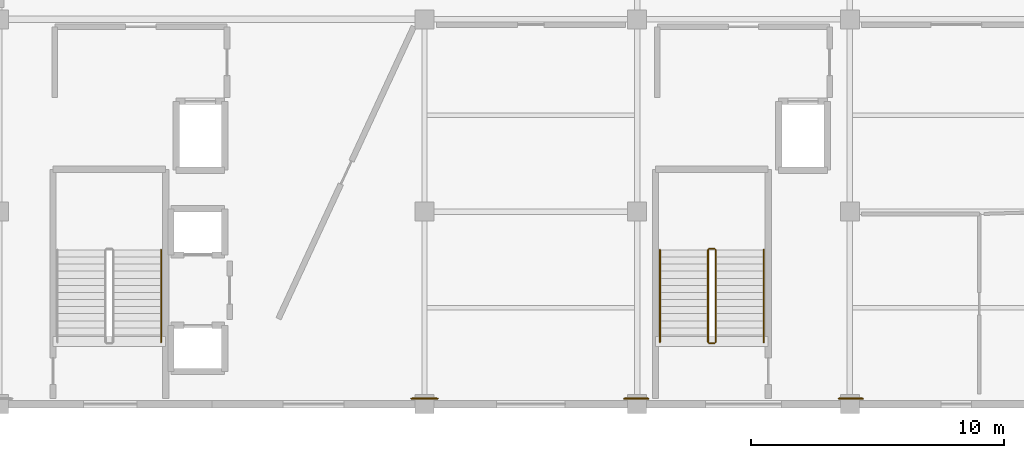
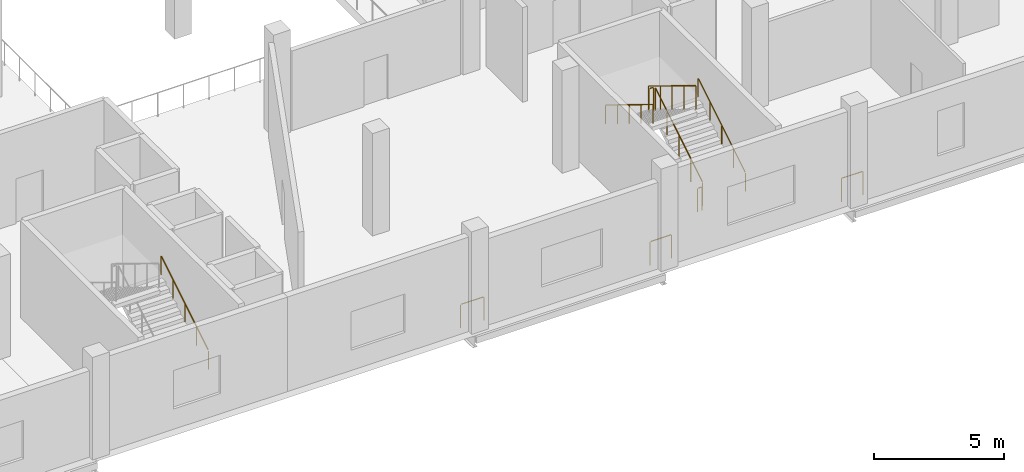
# One storey, part 38 of 51: 10 railings.
"""IFC4 building model written with IfcOpenShell, lengths in metres."""

from ifc_helpers import new_model, si_unit, direction, frame, origin, origin_2d, place, context, subcontext, project, spatial, circle, extrude, material, type_object, element, save


model = new_model("IFC4")

# Units and contexts
model_context = context("Model", 3, precision=1e-05, world=origin(), true_north=direction((0.0, 1.0)))
body_context = subcontext(model_context, "Body", "Model", "MODEL_VIEW")
ifc_project = project(units=[si_unit("LENGTHUNIT", "METRE"), si_unit("AREAUNIT", "SQUARE_METRE"), si_unit("VOLUMEUNIT", "CUBIC_METRE"), si_unit("PLANEANGLEUNIT", "RADIAN"), si_unit("MASSUNIT", "GRAM", prefix="KILO")], contexts=[model_context])

# Site, building, storey
site_placement = place(None, origin())
site = spatial("IfcSite", under=ifc_project, at=site_placement, CompositionType="ELEMENT")
building_placement = place(site_placement, origin())
building = spatial("IfcBuilding", under=site, at=building_placement, Name="Zuvorla Pavilion Media Centre", CompositionType="ELEMENT")
storey_placement = place(building_placement, frame((0.0, 0.0, 4.800048828125)))
storey = spatial("IfcBuildingStorey", under=building, at=storey_placement, Name="L01", CompositionType="ELEMENT", Elevation=4.800048828125)

# Railings
ifc_material_1 = material(Name="Powder-coated steel balustrade guard", Category="steel")
railing_type_1 = type_object("IfcRailingType", Name="RL-INT-GRD", PredefinedType="BALUSTRADE", material=ifc_material_1)
railing_1_placement = place(storey_placement, frame((95.10009765625, 8.449951171875, 0.17138671875)))
element("IfcRailing", 1, at=railing_1_placement, inside=storey, type_object=railing_type_1, Name="L01 ST-02 stair guard 1", PredefinedType="BALUSTRADE", context=body_context, shape_type="SweptSolid", body=[
    extrude(circle(Radius=0.02392578125, at=origin_2d()), frame((0.0, 0.024658203125, 1.111083984375), z_axis=(0.0, 0.852865859571, 0.52213008492), x_axis=(-1.0, 0.0, 0.0)), (0.0, 0.0, 1.0), 4.21044921875),
    extrude(circle(Radius=0.02099609375, at=origin_2d()), origin(), (0.0, 0.0, 1.0), 1.070068359375),
    extrude(circle(Radius=0.02099609375, at=origin_2d()), frame((0.0, 0.91015625, 0.55712890625)), (0.0, 0.0, 1.0), 1.070068359375),
    extrude(circle(Radius=0.02099609375, at=origin_2d()), frame((0.0, 1.820068359375, 1.1142578125)), (0.0, 0.0, 1.0), 1.070068359375),
    extrude(circle(Radius=0.02099609375, at=origin_2d()), frame((0.0, 2.72998046875, 1.67138671875)), (0.0, 0.0, 1.0), 1.070068359375),
    extrude(circle(Radius=0.02099609375, at=origin_2d()), frame((0.0, 3.64013671875, 2.228515625)), (0.0, 0.0, 1.0), 1.070068359375),
])
railing_2_placement = place(storey_placement, frame((95.050048828125, 12.139892578125, 2.39990234375)))
element("IfcRailing", 2, at=railing_2_placement, inside=storey, type_object=railing_type_1, Name="L01 ST-02 stair guard 2", PredefinedType="BALUSTRADE", context=body_context, shape_type="SweptSolid", body=[
    extrude(circle(Radius=0.02392578125, at=origin_2d()), frame((-0.02880859375, 0.0, 1.09619140625), z_axis=(-1.0, 0.0, 0.0), x_axis=(0.0, -1.0, 0.0)), (0.0, 0.0, 1.0), 0.142333984375),
    extrude(circle(Radius=0.02099609375, at=origin_2d()), origin(), (0.0, 0.0, 1.0), 1.070068359375),
    extrude(circle(Radius=0.02099609375, at=origin_2d()), frame((-0.199951171875, 0.0, 0.0)), (0.0, 0.0, 1.0), 1.070068359375),
])
railing_3_placement = place(storey_placement, frame((94.800048828125, 12.090087890625, 2.5712890625)))
element("IfcRailing", 3, at=railing_3_placement, inside=storey, type_object=railing_type_1, Name="L01 ST-02 stair guard 3", PredefinedType="BALUSTRADE", context=body_context, shape_type="SweptSolid", body=[
    extrude(circle(Radius=0.02392578125, at=origin_2d()), frame((0.0, -0.024658203125, 1.111083984375), z_axis=(0.0, -0.852840387347, 0.522171689878), x_axis=(1.0, 0.0, 0.0)), (0.0, 0.0, 1.0), 4.21044921875),
    extrude(circle(Radius=0.02099609375, at=origin_2d()), origin(), (0.0, 0.0, 1.0), 1.070068359375),
    extrude(circle(Radius=0.02099609375, at=origin_2d()), frame((0.0, -0.91015625, 0.55712890625)), (0.0, 0.0, 1.0), 1.070068359375),
    extrude(circle(Radius=0.02099609375, at=origin_2d()), frame((0.0, -1.820068359375, 1.1142578125)), (0.0, 0.0, 1.0), 1.070068359375),
    extrude(circle(Radius=0.02099609375, at=origin_2d()), frame((0.0, -2.72998046875, 1.671630859375)), (0.0, 0.0, 1.0), 1.070068359375),
    extrude(circle(Radius=0.02099609375, at=origin_2d()), frame((0.0, -3.64013671875, 2.228759765625)), (0.0, 0.0, 1.0), 1.070068359375),
])
railing_4_placement = place(storey_placement, frame((95.050048828125, 8.39990234375, 0.0)))
element("IfcRailing", 4, at=railing_4_placement, inside=storey, type_object=railing_type_1, Name="L01 ST-02 stair guard 4", PredefinedType="BALUSTRADE", context=body_context, shape_type="SweptSolid", body=[
    extrude(circle(Radius=0.02392578125, at=origin_2d()), frame((-0.02880859375, 0.0, 1.09619140625), z_axis=(-1.0, 0.0, 0.0), x_axis=(0.0, -1.0, 0.0)), (0.0, 0.0, 1.0), 0.142333984375),
    extrude(circle(Radius=0.02099609375, at=origin_2d()), origin(), (0.0, 0.0, 1.0), 1.070068359375),
    extrude(circle(Radius=0.02099609375, at=origin_2d()), frame((-0.199951171875, 0.0, 0.0)), (0.0, 0.0, 1.0), 1.070068359375),
])
railing_5_placement = place(storey_placement, frame((100.9150390625, 6.219970703125, 0.0)))
element("IfcRailing", 5, at=railing_5_placement, inside=storey, type_object=railing_type_1, Name="L01 slab edge guard 11", PredefinedType="BALUSTRADE", context=body_context, shape_type="SweptSolid", body=[
    extrude(circle(Radius=0.02392578125, at=origin_2d()), frame((-0.02880859375, 0.0, 1.09619140625), z_axis=(-1.0, 0.0, 0.0), x_axis=(0.0, -1.0, 0.0)), (0.0, 0.0, 1.0), 0.8974609375),
    extrude(circle(Radius=0.02099609375, at=origin_2d()), origin(), (0.0, 0.0, 1.0), 1.070068359375),
    extrude(circle(Radius=0.02099609375, at=origin_2d()), frame((-0.955078125, 0.0, 0.0)), (0.0, 0.0, 1.0), 1.070068359375),
])
railing_6_placement = place(storey_placement, frame((92.43994140625, 6.219970703125, 0.0)))
element("IfcRailing", 6, at=railing_6_placement, inside=storey, type_object=railing_type_1, Name="L01 slab edge guard 12", PredefinedType="BALUSTRADE", context=body_context, shape_type="SweptSolid", body=[
    extrude(circle(Radius=0.02392578125, at=origin_2d()), frame((-0.02880859375, 0.0, 1.09619140625), z_axis=(-1.0, 0.0, 0.0), x_axis=(0.0, -1.0, 0.0)), (0.0, 0.0, 1.0), 0.897216796875),
    extrude(circle(Radius=0.02099609375, at=origin_2d()), origin(), (0.0, 0.0, 1.0), 1.070068359375),
    extrude(circle(Radius=0.02099609375, at=origin_2d()), frame((-0.954833984375, 0.0, 0.0)), (0.0, 0.0, 1.0), 1.070068359375),
])
railing_7_placement = place(storey_placement, frame((84.114990234375, 6.219970703125, 0.0)))
element("IfcRailing", 7, at=railing_7_placement, inside=storey, type_object=railing_type_1, Name="L01 slab edge guard 13", PredefinedType="BALUSTRADE", context=body_context, shape_type="SweptSolid", body=[
    extrude(circle(Radius=0.02392578125, at=origin_2d()), frame((-0.02880859375, 0.0, 1.09619140625), z_axis=(-1.0, 0.0, 0.0), x_axis=(0.0, -1.0, 0.0)), (0.0, 0.0, 1.0), 0.972412109375),
    extrude(circle(Radius=0.02099609375, at=origin_2d()), origin(), (0.0, 0.0, 1.0), 1.070068359375),
    extrude(circle(Radius=0.02099609375, at=origin_2d()), frame((-1.030029296875, 0.0, 0.0)), (0.0, 0.0, 1.0), 1.070068359375),
])
ifc_material_2 = material(Name="Brushed stainless steel tubular handrail", Category="steel")
railing_type_2 = type_object("IfcRailingType", Name="RL-INT-HND", PredefinedType="HANDRAIL", material=ifc_material_2)
for number, where, name in (
    (8, (73.199951171875, 8.449951171875, 0.17138671875), "L01 ST-01 handrail 1"),
    (9, (97.0, 8.449951171875, 0.17138671875), "L01 ST-02 handrail 1"),
):
    element("IfcRailing", number, at=place(storey_placement, frame(where)), inside=storey, type_object=railing_type_2, Name=name, PredefinedType="HANDRAIL", context=body_context, shape_type="SweptSolid", body=[
        extrude(circle(Radius=0.02392578125, at=origin_2d()), frame((0.0, 0.024658203125, 0.890869140625), z_axis=(0.0, 0.852865859571, 0.52213008492), x_axis=(-1.0, 0.0, 0.0)), (0.0, 0.0, 1.0), 4.21044921875),
        extrude(circle(Radius=0.02099609375, at=origin_2d()), origin(), (0.0, 0.0, 1.0), 0.849853515625),
        extrude(circle(Radius=0.02099609375, at=origin_2d()), frame((0.0, 0.91015625, 0.55712890625)), (0.0, 0.0, 1.0), 0.849853515625),
        extrude(circle(Radius=0.02099609375, at=origin_2d()), frame((0.0, 1.820068359375, 1.1142578125)), (0.0, 0.0, 1.0), 0.849853515625),
        extrude(circle(Radius=0.02099609375, at=origin_2d()), frame((0.0, 2.72998046875, 1.67138671875)), (0.0, 0.0, 1.0), 0.849853515625),
        extrude(circle(Radius=0.02099609375, at=origin_2d()), frame((0.0, 3.64013671875, 2.228515625)), (0.0, 0.0, 1.0), 0.849853515625),
    ])
railing_8_placement = place(storey_placement, frame((92.89990234375, 12.090087890625, 2.5712890625)))
element("IfcRailing", 10, at=railing_8_placement, inside=storey, type_object=railing_type_2, Name="L01 ST-02 handrail 2", PredefinedType="HANDRAIL", context=body_context, shape_type="SweptSolid", body=[
    extrude(circle(Radius=0.02392578125, at=origin_2d()), frame((0.0, -0.024658203125, 0.890869140625), z_axis=(0.0, -0.852840387347, 0.522171689878), x_axis=(1.0, 0.0, 0.0)), (0.0, 0.0, 1.0), 4.21044921875),
    extrude(circle(Radius=0.02099609375, at=origin_2d()), origin(), (0.0, 0.0, 1.0), 0.849853515625),
    extrude(circle(Radius=0.02099609375, at=origin_2d()), frame((0.0, -0.91015625, 0.55712890625)), (0.0, 0.0, 1.0), 0.849853515625),
    extrude(circle(Radius=0.02099609375, at=origin_2d()), frame((0.0, -1.820068359375, 1.1142578125)), (0.0, 0.0, 1.0), 0.849853515625),
    extrude(circle(Radius=0.02099609375, at=origin_2d()), frame((0.0, -2.72998046875, 1.671630859375)), (0.0, 0.0, 1.0), 0.849853515625),
    extrude(circle(Radius=0.02099609375, at=origin_2d()), frame((0.0, -3.64013671875, 2.228759765625)), (0.0, 0.0, 1.0), 0.849853515625),
])

save(model, "model.ifc")
